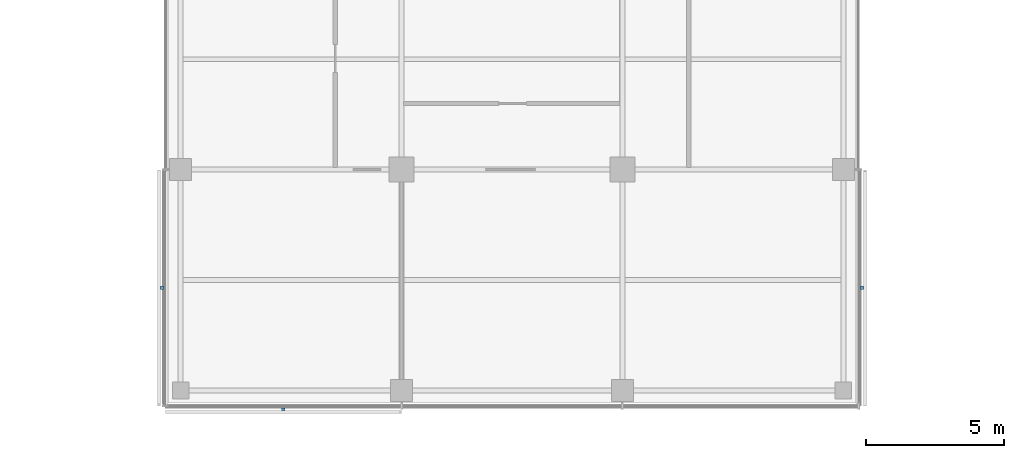
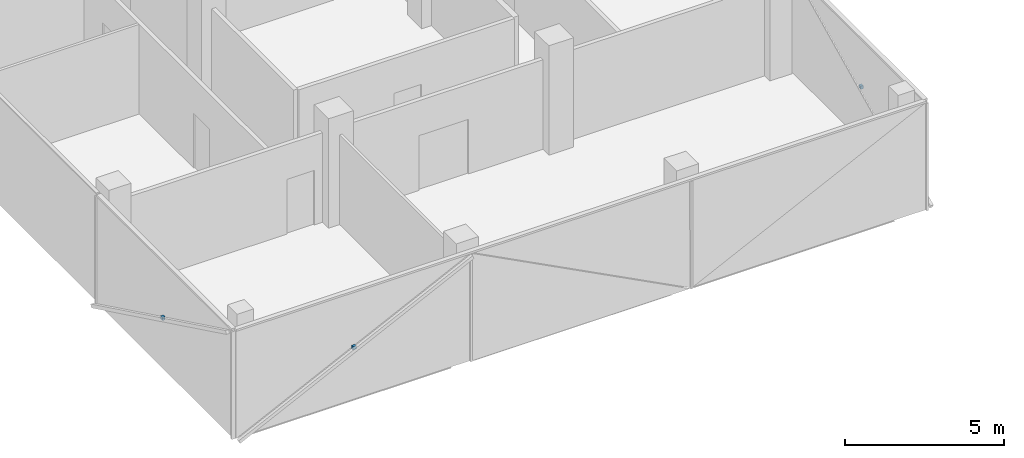
# One storey, part 13 of 15: 3 discrete accessories.
"""IFC4 building model written with IfcOpenShell, lengths in metres."""

from ifc_helpers import new_model, si_unit, direction, frame, origin, origin_2d, place, context, subcontext, project, spatial, rectangle, extrude, material, type_object, element, save


model = new_model("IFC4")

# Units and contexts
model_context = context("Model", 3, precision=1e-05, world=origin(), true_north=direction((0.0, 1.0)))
body_context = subcontext(model_context, "Body", "Model", "MODEL_VIEW")
ifc_project = project(units=[si_unit("LENGTHUNIT", "METRE"), si_unit("AREAUNIT", "SQUARE_METRE"), si_unit("VOLUMEUNIT", "CUBIC_METRE"), si_unit("PLANEANGLEUNIT", "RADIAN"), si_unit("MASSUNIT", "GRAM", prefix="KILO")], contexts=[model_context])

# Site, building, storey
site_placement = place(None, origin())
site = spatial("IfcSite", under=ifc_project, at=site_placement, CompositionType="ELEMENT")
building_placement = place(site_placement, origin())
building = spatial("IfcBuilding", under=site, at=building_placement, Name="Crosswind Convention Tower", CompositionType="ELEMENT")
storey_placement = place(building_placement, frame((0.0, 0.0, 229.300048828125)))
storey = spatial("IfcBuildingStorey", under=building, at=storey_placement, Name="L49", CompositionType="ELEMENT", Elevation=229.300048828125)

# Discrete accessories
ifc_material = material(Name="Stainless steel", Category="steel")
discrete_accessory_type = type_object("IfcDiscreteAccessoryType", Name="BAGUETTE BRACKET BK3", PredefinedType="BRACKET", material=ifc_material)
for number, where, z_axis, x_axis, name in (
    (1, (112.323974609375, 75.719970703125, 1.704833984375), (0.0, 0.0, 1.0), (0.0, -1.0, 0.0), "BK3 baguette bracket"),
    (2, (116.719970703125, 71.323974609375, 1.704833984375), (0.0, 0.0, 1.0), (1.0, 0.0, 0.0), "BK3 baguette bracket"),
    (3, (137.676025390625, 75.719970703125, 1.704833984375), (0.0, 0.0, 1.0), (0.0, 1.0, 0.0), "BK3 baguette bracket"),
):
    element("IfcDiscreteAccessory", number, at=place(storey_placement, frame(where, z_axis=z_axis, x_axis=x_axis)), inside=storey, type_object=discrete_accessory_type, Name=name, PredefinedType="BRACKET", context=body_context, shape_type="SweptSolid", body=[
        extrude(rectangle(XDim=0.1201171875, YDim=0.10009765625, at=origin_2d()), origin(), (0.0, 0.0, 1.0), 0.1201171875),
    ])

save(model, "model.ifc")
